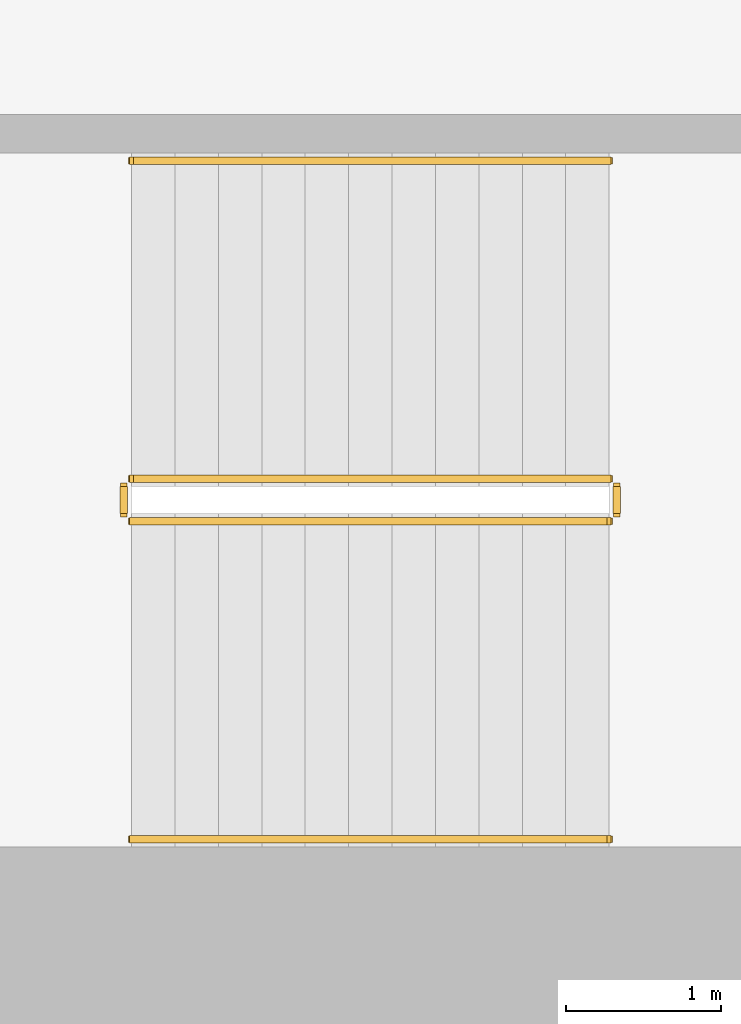
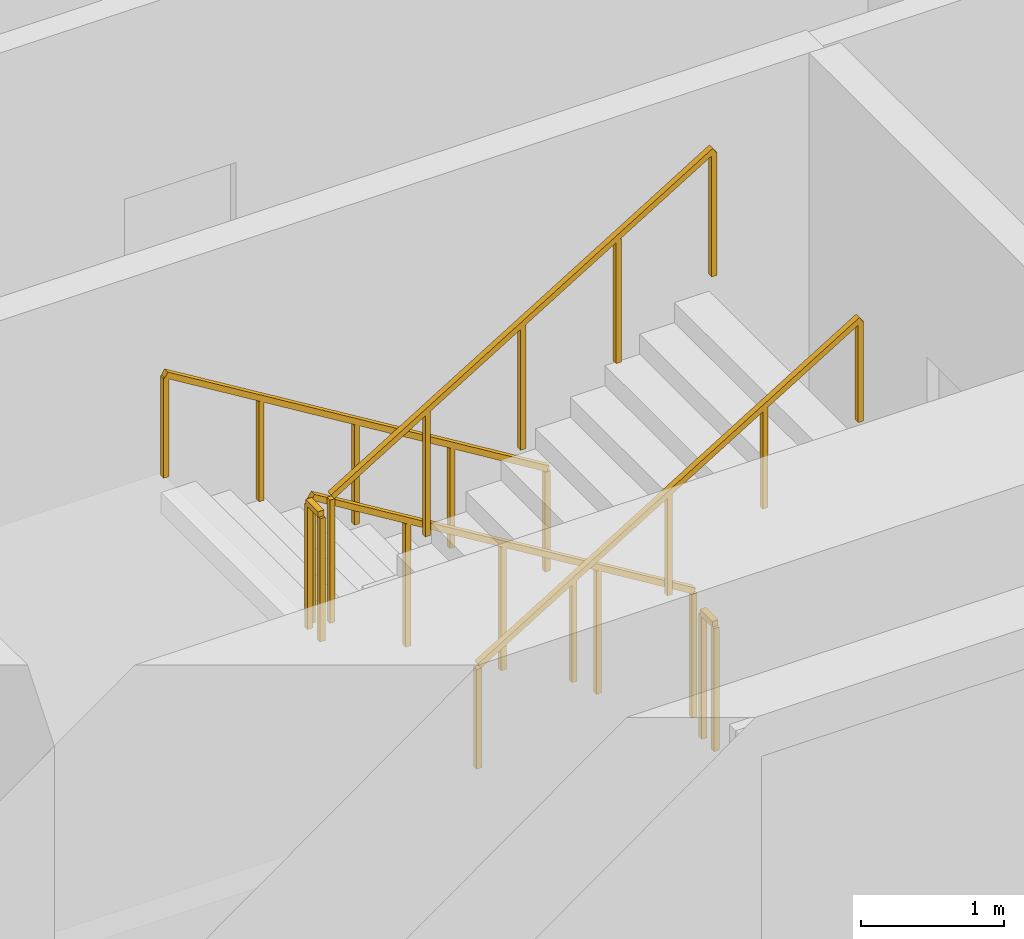
# One storey, part 12 of 16: 6 railings.
"""IFC4 building model written with IfcOpenShell, lengths in metres."""

from ifc_helpers import new_model, si_unit, direction, frame, origin, origin_2d, place, context, subcontext, project, spatial, rectangle, extrude, material, type_object, element, save


model = new_model("IFC4")

# Units and contexts
model_context = context("Model", 3, precision=1e-05, world=origin(), true_north=direction((0.0, 1.0)))
body_context = subcontext(model_context, "Body", "Model", "MODEL_VIEW")
ifc_project = project(units=[si_unit("LENGTHUNIT", "METRE"), si_unit("AREAUNIT", "SQUARE_METRE"), si_unit("VOLUMEUNIT", "CUBIC_METRE"), si_unit("PLANEANGLEUNIT", "RADIAN"), si_unit("MASSUNIT", "GRAM", prefix="KILO")], contexts=[model_context])

# Site, building, storey
site_placement = place(None, origin())
site = spatial("IfcSite", under=ifc_project, at=site_placement, CompositionType="ELEMENT")
building_placement = place(site_placement, origin())
building = spatial("IfcBuilding", under=site, at=building_placement, Name="Cypress Arch Tower", CompositionType="ELEMENT")
storey_placement = place(building_placement, frame((0.0, 0.0, 197.39990234375)))
storey = spatial("IfcBuildingStorey", under=building, at=storey_placement, Name="L43", CompositionType="ELEMENT", Elevation=197.39990234375)

# Railings
ifc_material_1 = material(Name="Black powder-coated steel square bar 48 mm", Category="steel")
railing_type_1 = type_object("IfcRailingType", Name="Stair handrail HR1", PredefinedType="HANDRAIL", material=ifc_material_1)
railing_1_placement = place(storey_placement, frame((-22.27490234375, -10.375, 0.1708984375)))
element("IfcRailing", 1, at=railing_1_placement, inside=storey, type_object=railing_type_1, Name="L43 A stair handrail 1", PredefinedType="HANDRAIL", context=body_context, shape_type="SweptSolid", body=[
    extrude(rectangle(XDim=0.048095703125, YDim=0.048095703125, at=origin_2d()), frame((0.0, 0.0, 0.8759765625), z_axis=(-0.853666305674, 0.0, 0.52082035152), x_axis=(0.0, -1.0, 0.0)), (0.0, 0.0, 1.0), 3.608154296875),
    extrude(rectangle(XDim=0.0419921875, YDim=0.0419921875, at=origin_2d()), origin(), (0.0, 0.0, 1.0), 0.851806640625),
    extrude(rectangle(XDim=0.0419921875, YDim=0.0419921875, at=origin_2d()), frame((-0.77001953125, 0.0, 0.4697265625)), (0.0, 0.0, 1.0), 0.851806640625),
    extrude(rectangle(XDim=0.0419921875, YDim=0.0419921875, at=origin_2d()), frame((-1.5400390625, 0.0, 0.939453125)), (0.0, 0.0, 1.0), 0.851806640625),
    extrude(rectangle(XDim=0.0419921875, YDim=0.0419921875, at=origin_2d()), frame((-2.31005859375, 0.0, 1.409423828125)), (0.0, 0.0, 1.0), 0.851806640625),
    extrude(rectangle(XDim=0.0419921875, YDim=0.0419921875, at=origin_2d()), frame((-3.080078125, 0.0, 1.879150390625)), (0.0, 0.0, 1.0), 0.851806640625),
])
railing_2_placement = place(storey_placement, frame((-25.35498046875, -14.75, 2.220947265625)))
element("IfcRailing", 2, at=railing_2_placement, inside=storey, type_object=railing_type_1, Name="L43 A stair handrail 2", PredefinedType="HANDRAIL", context=body_context, shape_type="SweptSolid", body=[
    extrude(rectangle(XDim=0.048095703125, YDim=0.048095703125, at=origin_2d()), frame((0.0, 0.0, 0.8759765625), z_axis=(0.853666305674, 0.0, 0.52082035152), x_axis=(0.0, 1.0, 0.0)), (0.0, 0.0, 1.0), 3.608154296875),
    extrude(rectangle(XDim=0.0419921875, YDim=0.0419921875, at=origin_2d()), origin(), (0.0, 0.0, 1.0), 0.851806640625),
    extrude(rectangle(XDim=0.0419921875, YDim=0.0419921875, at=origin_2d()), frame((0.77001953125, 0.0, 0.4697265625)), (0.0, 0.0, 1.0), 0.851806640625),
    extrude(rectangle(XDim=0.0419921875, YDim=0.0419921875, at=origin_2d()), frame((1.5400390625, 0.0, 0.939453125)), (0.0, 0.0, 1.0), 0.851806640625),
    extrude(rectangle(XDim=0.0419921875, YDim=0.0419921875, at=origin_2d()), frame((2.31005859375, 0.0, 1.409423828125)), (0.0, 0.0, 1.0), 0.851806640625),
    extrude(rectangle(XDim=0.0419921875, YDim=0.0419921875, at=origin_2d()), frame((3.080078125, 0.0, 1.879150390625)), (0.0, 0.0, 1.0), 0.851806640625),
])
ifc_material_2 = material(Name="Black powder-coated steel balusters", Category="steel")
railing_type_2 = type_object("IfcRailingType", Name="Stair well guard G1", PredefinedType="GUARDRAIL", material=ifc_material_2)
railing_3_placement = place(storey_placement, frame((-22.27490234375, -12.425048828125, 0.1708984375)))
element("IfcRailing", 3, at=railing_3_placement, inside=storey, type_object=railing_type_2, Name="L43 A stair guard 1", PredefinedType="GUARDRAIL", context=body_context, shape_type="SweptSolid", body=[
    extrude(rectangle(XDim=0.048095703125, YDim=0.048095703125, at=origin_2d()), frame((0.0, 0.0, 1.076171875), z_axis=(-0.853666305674, 0.0, 0.52082035152), x_axis=(0.0, -1.0, 0.0)), (0.0, 0.0, 1.0), 3.608154296875),
    extrude(rectangle(XDim=0.0419921875, YDim=0.0419921875, at=origin_2d()), origin(), (0.0, 0.0, 1.0), 1.052001953125),
    extrude(rectangle(XDim=0.0419921875, YDim=0.0419921875, at=origin_2d()), frame((-0.77001953125, 0.0, 0.4697265625)), (0.0, 0.0, 1.0), 1.052001953125),
    extrude(rectangle(XDim=0.0419921875, YDim=0.0419921875, at=origin_2d()), frame((-1.5400390625, 0.0, 0.939453125)), (0.0, 0.0, 1.0), 1.052001953125),
    extrude(rectangle(XDim=0.0419921875, YDim=0.0419921875, at=origin_2d()), frame((-2.31005859375, 0.0, 1.409423828125)), (0.0, 0.0, 1.0), 1.052001953125),
    extrude(rectangle(XDim=0.0419921875, YDim=0.0419921875, at=origin_2d()), frame((-3.080078125, 0.0, 1.879150390625)), (0.0, 0.0, 1.0), 1.052001953125),
])
railing_4_placement = place(storey_placement, frame((-25.405029296875, -12.47509765625, 2.050048828125)))
element("IfcRailing", 4, at=railing_4_placement, inside=storey, type_object=railing_type_2, Name="L43 A stair guard 2", PredefinedType="GUARDRAIL", context=body_context, shape_type="SweptSolid", body=[
    extrude(rectangle(XDim=0.048095703125, YDim=0.048095703125, at=origin_2d()), frame((0.0, 0.0, 1.076171875), z_axis=(0.0, -1.0, 0.0), x_axis=(1.0, 0.0, 0.0)), (0.0, 0.0, 1.0), 0.1748046875),
    extrude(rectangle(XDim=0.0419921875, YDim=0.0419921875, at=origin_2d()), origin(), (0.0, 0.0, 1.0), 1.052001953125),
    extrude(rectangle(XDim=0.0419921875, YDim=0.0419921875, at=origin_2d()), frame((0.0, -0.1748046875, 0.0)), (0.0, 0.0, 1.0), 1.052001953125),
])
railing_5_placement = place(storey_placement, frame((-25.35498046875, -12.699951171875, 2.220947265625)))
element("IfcRailing", 5, at=railing_5_placement, inside=storey, type_object=railing_type_2, Name="L43 A stair guard 3", PredefinedType="GUARDRAIL", context=body_context, shape_type="SweptSolid", body=[
    extrude(rectangle(XDim=0.048095703125, YDim=0.048095703125, at=origin_2d()), frame((0.0, 0.0, 1.076171875), z_axis=(0.853666305674, 0.0, 0.52082035152), x_axis=(0.0, 1.0, 0.0)), (0.0, 0.0, 1.0), 3.608154296875),
    extrude(rectangle(XDim=0.0419921875, YDim=0.0419921875, at=origin_2d()), origin(), (0.0, 0.0, 1.0), 1.052001953125),
    extrude(rectangle(XDim=0.0419921875, YDim=0.0419921875, at=origin_2d()), frame((0.77001953125, 0.0, 0.4697265625)), (0.0, 0.0, 1.0), 1.052001953125),
    extrude(rectangle(XDim=0.0419921875, YDim=0.0419921875, at=origin_2d()), frame((1.5400390625, 0.0, 0.939453125)), (0.0, 0.0, 1.0), 1.052001953125),
    extrude(rectangle(XDim=0.0419921875, YDim=0.0419921875, at=origin_2d()), frame((2.31005859375, 0.0, 1.409423828125)), (0.0, 0.0, 1.0), 1.052001953125),
    extrude(rectangle(XDim=0.0419921875, YDim=0.0419921875, at=origin_2d()), frame((3.080078125, 0.0, 1.879150390625)), (0.0, 0.0, 1.0), 1.052001953125),
])
railing_6_placement = place(storey_placement, frame((-22.22509765625, -12.47509765625, 0.0)))
element("IfcRailing", 6, at=railing_6_placement, inside=storey, type_object=railing_type_2, Name="L43 A stair guard 4", PredefinedType="GUARDRAIL", context=body_context, shape_type="SweptSolid", body=[
    extrude(rectangle(XDim=0.048095703125, YDim=0.048095703125, at=origin_2d()), frame((0.0, 0.0, 1.076171875), z_axis=(0.0, -1.0, 0.0), x_axis=(1.0, 0.0, 0.0)), (0.0, 0.0, 1.0), 0.1748046875),
    extrude(rectangle(XDim=0.0419921875, YDim=0.0419921875, at=origin_2d()), origin(), (0.0, 0.0, 1.0), 1.052001953125),
    extrude(rectangle(XDim=0.0419921875, YDim=0.0419921875, at=origin_2d()), frame((0.0, -0.1748046875, 0.0)), (0.0, 0.0, 1.0), 1.052001953125),
])

save(model, "model.ifc")
